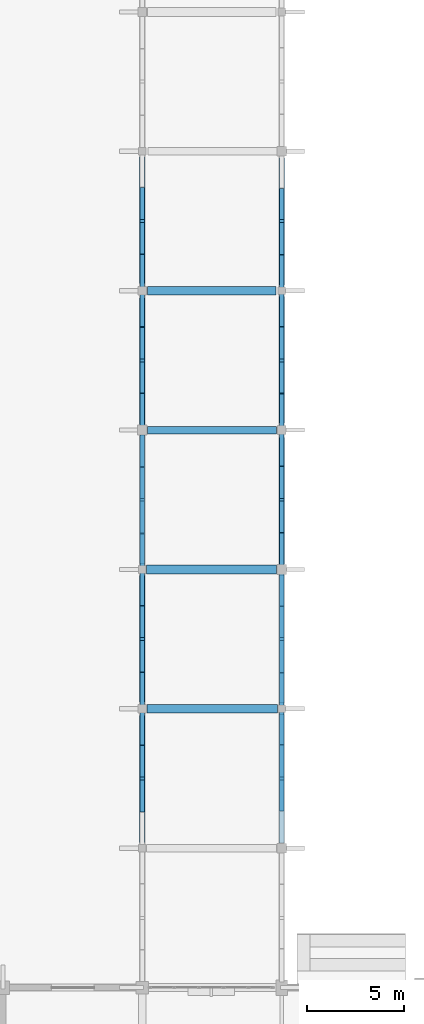
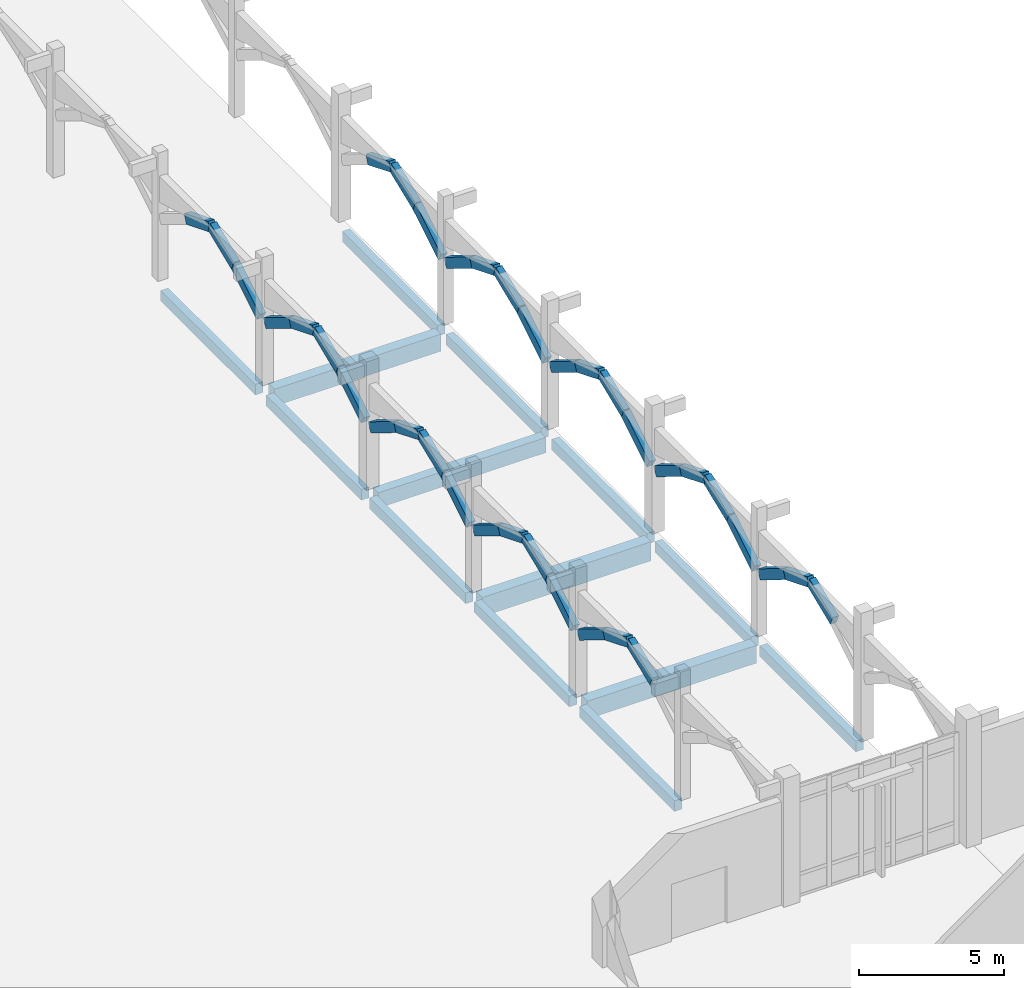
# One storey, part 36 of 110: 36 members, 14 beams.
"""IFC4 building model written with IfcOpenShell, lengths in metres."""

from ifc_helpers import new_model, si_unit, direction, frame, origin, origin_2d, place, context, subcontext, project, spatial, rectangle, extrude, material, material_profile, profile_set, type_object, element, save


model = new_model("IFC4")

# Units and contexts
model_context = context("Model", 3, precision=1e-05, world=origin(), true_north=direction((0.0, 1.0)))
body_context = subcontext(model_context, "Body", "Model", "MODEL_VIEW")
ifc_project = project(units=[si_unit("LENGTHUNIT", "METRE"), si_unit("AREAUNIT", "SQUARE_METRE"), si_unit("VOLUMEUNIT", "CUBIC_METRE"), si_unit("PLANEANGLEUNIT", "RADIAN"), si_unit("MASSUNIT", "GRAM", prefix="KILO")], contexts=[model_context])

# Site, building, storey
site_placement = place(None, origin())
site = spatial("IfcSite", under=ifc_project, at=site_placement, CompositionType="ELEMENT")
building_placement = place(site_placement, origin())
building = spatial("IfcBuilding", under=site, at=building_placement, Name="Kalluvel Institute of Natural Sciences", CompositionType="ELEMENT")
storey_placement = place(building_placement, origin())
storey = spatial("IfcBuildingStorey", under=building, at=storey_placement, Name="L00", CompositionType="ELEMENT", Elevation=0.0)

# Beams
ifc_material_1 = material(Name="Concrete M40", Category="concrete")
ifc_material_profile_1 = material_profile(ifc_material_1, rectangle(XDim=0.3798828125, YDim=0.639892578125, at=origin_2d()), Name="RCB 380x640")
ifc_profile_set_1 = profile_set([ifc_material_profile_1], Name="Concrete M40")
beam_type_1 = type_object("IfcBeamType", Name="BM-RC380x640", PredefinedType="BEAM", material=ifc_profile_set_1)
beam_1_placement = place(storey_placement, frame((107.875, 64.39990234375, -0.639892578125), z_axis=(1.0, 0.0, 0.0), x_axis=(0.0, 1.0, 0.0)))
element("IfcBeam", 1, at=beam_1_placement, inside=storey, type_object=beam_type_1, Name="L00 girder GIR-L00-EW-X1076-Y644", PredefinedType="BEAM", context=body_context, shape_type="SweptSolid", body=[
    extrude(rectangle(XDim=0.3798828125, YDim=0.639892578125, at=origin_2d()), origin(), (0.0, 0.0, 1.0), 6.64990234375),
])
ifc_material_profile_2 = material_profile(ifc_material_1, rectangle(XDim=0.419921875, YDim=0.719970703125, at=origin_2d()), Name="RCB 420x720")
ifc_profile_set_2 = profile_set([ifc_material_profile_2], Name="Concrete M40")
beam_type_2 = type_object("IfcBeamType", Name="BM-RC420x720", PredefinedType="BEAM", material=ifc_profile_set_2)
beam_2_placement = place(storey_placement, frame((107.875, 71.60009765625, -0.679931640625), z_axis=(1.0, 0.0, 0.0), x_axis=(0.0, 1.0, 0.0)))
element("IfcBeam", 2, at=beam_2_placement, inside=storey, type_object=beam_type_2, Name="L00 girder GIR-L00-EW-X1076-Y716", PredefinedType="BEAM", context=body_context, shape_type="SweptSolid", body=[
    extrude(rectangle(XDim=0.419921875, YDim=0.719970703125, at=origin_2d()), origin(), (0.0, 0.0, 1.0), 6.625),
])
ifc_material_profile_3 = material_profile(ifc_material_1, rectangle(XDim=0.449951171875, YDim=0.75, at=origin_2d()), Name="RCB 450x750")
ifc_profile_set_3 = profile_set([ifc_material_profile_3], Name="Concrete M40")
beam_type_3 = type_object("IfcBeamType", Name="BM-RC450x750", PredefinedType="BEAM", material=ifc_profile_set_3)
beam_3_placement = place(storey_placement, frame((107.85009765625, 50.0, -0.695068359375), z_axis=(1.0, 0.0, 0.0), x_axis=(0.0, 1.0, 0.0)))
element("IfcBeam", 3, at=beam_3_placement, inside=storey, type_object=beam_type_3, Name="L00 girder GIR-L00-EW-X1076-Y500", PredefinedType="BEAM", context=body_context, shape_type="SweptSolid", body=[
    extrude(rectangle(XDim=0.449951171875, YDim=0.75, at=origin_2d()), origin(), (0.0, 0.0, 1.0), 6.724853515625),
])
ifc_material_profile_4 = material_profile(ifc_material_1, rectangle(XDim=0.449951171875, YDim=0.800048828125, at=origin_2d()), Name="RCB 450x800")
ifc_profile_set_4 = profile_set([ifc_material_profile_4], Name="Concrete M40")
beam_type_4 = type_object("IfcBeamType", Name="BM-RC450x800", PredefinedType="BEAM", material=ifc_profile_set_4)
beam_4_placement = place(storey_placement, frame((107.824951171875, 57.199951171875, -0.719970703125), z_axis=(1.0, 0.0, 0.0), x_axis=(0.0, 1.0, 0.0)))
element("IfcBeam", 4, at=beam_4_placement, inside=storey, type_object=beam_type_4, Name="L00 girder GIR-L00-EW-X1076-Y572", PredefinedType="BEAM", context=body_context, shape_type="SweptSolid", body=[
    extrude(rectangle(XDim=0.449951171875, YDim=0.800048828125, at=origin_2d()), origin(), (0.0, 0.0, 1.0), 6.699951171875),
])

# Members
ifc_material_2 = material(Name="Sadarahalli Granite Precast Concrete M45", Category="masonry")
ifc_material_profile_5 = material_profile(ifc_material_2, rectangle(XDim=0.25, YDim=0.39990234375, at=origin_2d()), Name="RCB 250x400")
ifc_profile_set_5 = profile_set([ifc_material_profile_5], Name="Sadarahalli Granite Precast Concrete M45")
member_type = type_object("IfcMemberType", Name="MB-CL-ARCH250", PredefinedType="USERDEFINED", material=ifc_profile_set_5)
member_1_placement = place(storey_placement, frame((107.60009765625, 44.75439453125, 3.679931640625), z_axis=(0.0, 0.928096343837, 0.372340135569), x_axis=(-1.0, 0.0, 0.0)))
element("IfcMember", 5, at=member_1_placement, inside=storey, type_object=member_type, Name="Gothic cloister pointed-lancet arch segment 82", ObjectType="ARCH_SEGMENT", PredefinedType="USERDEFINED", context=body_context, shape_type="SweptSolid", body=[
    extrude(rectangle(XDim=0.25, YDim=0.39990234375, at=origin_2d()), origin(), (0.0, 0.0, 1.0), 1.77294921875),
])
member_2_placement = place(storey_placement, frame((107.60009765625, 46.39990234375, 4.340087890625), z_axis=(0.0, 0.926130265852, -0.377203831731), x_axis=(-1.0, 0.0, 0.0)))
element("IfcMember", 6, at=member_2_placement, inside=storey, type_object=member_type, Name="Gothic cloister pointed-lancet arch segment 83", ObjectType="ARCH_SEGMENT", PredefinedType="USERDEFINED", context=body_context, shape_type="SweptSolid", body=[
    extrude(rectangle(XDim=0.25, YDim=0.39990234375, at=origin_2d()), origin(), (0.0, 0.0, 1.0), 1.750244140625),
])
member_3_placement = place(storey_placement, frame((107.60009765625, 48.020751953125, 3.679931640625), z_axis=(0.0, 0.853581578876, -0.520959200134), x_axis=(-1.0, 0.0, 0.0)))
element("IfcMember", 7, at=member_3_placement, inside=storey, type_object=member_type, Name="Gothic cloister pointed-lancet arch segment 84", ObjectType="ARCH_SEGMENT", PredefinedType="USERDEFINED", context=body_context, shape_type="SweptSolid", body=[
    extrude(rectangle(XDim=0.25, YDim=0.39990234375, at=origin_2d()), origin(), (0.0, 0.0, 1.0), 2.07275390625),
])
member_4_placement = place(storey_placement, frame((114.800048828125, 44.7978515625, 3.679931640625), z_axis=(0.0, 0.924578854219, 0.380990737855), x_axis=(-1.0, 0.0, 0.0)))
element("IfcMember", 8, at=member_4_placement, inside=storey, type_object=member_type, Name="Gothic cloister pointed-lancet arch segment 86", ObjectType="ARCH_SEGMENT", PredefinedType="USERDEFINED", context=body_context, shape_type="SweptSolid", body=[
    extrude(rectangle(XDim=0.25, YDim=0.39990234375, at=origin_2d()), origin(), (0.0, 0.0, 1.0), 1.732666015625),
])
member_5_placement = place(storey_placement, frame((114.800048828125, 46.39990234375, 4.340087890625), z_axis=(0.0, 0.928628016361, -0.371012138924), x_axis=(-1.0, 0.0, 0.0)))
element("IfcMember", 9, at=member_5_placement, inside=storey, type_object=member_type, Name="Gothic cloister pointed-lancet arch segment 87", ObjectType="ARCH_SEGMENT", PredefinedType="USERDEFINED", context=body_context, shape_type="SweptSolid", body=[
    extrude(rectangle(XDim=0.25, YDim=0.39990234375, at=origin_2d()), origin(), (0.0, 0.0, 1.0), 1.779296875),
])
member_6_placement = place(storey_placement, frame((114.800048828125, 48.05224609375, 3.679931640625), z_axis=(0.0, 0.852714959233, -0.522376490954), x_axis=(-1.0, 0.0, 0.0)))
element("IfcMember", 10, at=member_6_placement, inside=storey, type_object=member_type, Name="Gothic cloister pointed-lancet arch segment 88", ObjectType="ARCH_SEGMENT", PredefinedType="USERDEFINED", context=body_context, shape_type="SweptSolid", body=[
    extrude(rectangle(XDim=0.25, YDim=0.39990234375, at=origin_2d()), origin(), (0.0, 0.0, 1.0), 2.067138671875),
])
member_7_placement = place(storey_placement, frame((107.60009765625, 50.2099609375, 2.60009765625), z_axis=(0.0, 0.853581578876, 0.520959200134), x_axis=(-1.0, 0.0, 0.0)))
element("IfcMember", 11, at=member_7_placement, inside=storey, type_object=member_type, Name="Gothic cloister pointed-lancet arch segment 89", ObjectType="ARCH_SEGMENT", PredefinedType="USERDEFINED", context=body_context, shape_type="SweptSolid", body=[
    extrude(rectangle(XDim=0.25, YDim=0.39990234375, at=origin_2d()), origin(), (0.0, 0.0, 1.0), 2.07275390625),
])
member_8_placement = place(storey_placement, frame((107.60009765625, 51.979248046875, 3.679931640625), z_axis=(0.0, 0.926130265852, 0.377203831731), x_axis=(-1.0, 0.0, 0.0)))
element("IfcMember", 12, at=member_8_placement, inside=storey, type_object=member_type, Name="Gothic cloister pointed-lancet arch segment 90", ObjectType="ARCH_SEGMENT", PredefinedType="USERDEFINED", context=body_context, shape_type="SweptSolid", body=[
    extrude(rectangle(XDim=0.25, YDim=0.39990234375, at=origin_2d()), origin(), (0.0, 0.0, 1.0), 1.750244140625),
])
member_9_placement = place(storey_placement, frame((107.60009765625, 53.60009765625, 4.340087890625), z_axis=(0.0, 0.928096343837, -0.372340135569), x_axis=(-1.0, 0.0, 0.0)))
element("IfcMember", 13, at=member_9_placement, inside=storey, type_object=member_type, Name="Gothic cloister pointed-lancet arch segment 91", ObjectType="ARCH_SEGMENT", PredefinedType="USERDEFINED", context=body_context, shape_type="SweptSolid", body=[
    extrude(rectangle(XDim=0.25, YDim=0.39990234375, at=origin_2d()), origin(), (0.0, 0.0, 1.0), 1.77294921875),
])
member_10_placement = place(storey_placement, frame((107.60009765625, 55.24560546875, 3.679931640625), z_axis=(0.0, 0.853581578876, -0.520959200134), x_axis=(-1.0, 0.0, 0.0)))
element("IfcMember", 14, at=member_10_placement, inside=storey, type_object=member_type, Name="Gothic cloister pointed-lancet arch segment 92", ObjectType="ARCH_SEGMENT", PredefinedType="USERDEFINED", context=body_context, shape_type="SweptSolid", body=[
    extrude(rectangle(XDim=0.25, YDim=0.39990234375, at=origin_2d()), origin(), (0.0, 0.0, 1.0), 2.07275390625),
])
member_11_placement = place(storey_placement, frame((114.800048828125, 50.18505859375, 2.60009765625), z_axis=(0.0, 0.852714959233, 0.522376490954), x_axis=(-1.0, 0.0, 0.0)))
element("IfcMember", 15, at=member_11_placement, inside=storey, type_object=member_type, Name="Gothic cloister pointed-lancet arch segment 93", ObjectType="ARCH_SEGMENT", PredefinedType="USERDEFINED", context=body_context, shape_type="SweptSolid", body=[
    extrude(rectangle(XDim=0.25, YDim=0.39990234375, at=origin_2d()), origin(), (0.0, 0.0, 1.0), 2.067138671875),
])
member_12_placement = place(storey_placement, frame((114.800048828125, 51.94775390625, 3.679931640625), z_axis=(0.0, 0.928628016361, 0.371012138924), x_axis=(-1.0, 0.0, 0.0)))
element("IfcMember", 16, at=member_12_placement, inside=storey, type_object=member_type, Name="Gothic cloister pointed-lancet arch segment 94", ObjectType="ARCH_SEGMENT", PredefinedType="USERDEFINED", context=body_context, shape_type="SweptSolid", body=[
    extrude(rectangle(XDim=0.25, YDim=0.39990234375, at=origin_2d()), origin(), (0.0, 0.0, 1.0), 1.779296875),
])
member_13_placement = place(storey_placement, frame((114.800048828125, 53.60009765625, 4.340087890625), z_axis=(0.0, 0.924578854219, -0.380990737855), x_axis=(-1.0, 0.0, 0.0)))
element("IfcMember", 17, at=member_13_placement, inside=storey, type_object=member_type, Name="Gothic cloister pointed-lancet arch segment 95", ObjectType="ARCH_SEGMENT", PredefinedType="USERDEFINED", context=body_context, shape_type="SweptSolid", body=[
    extrude(rectangle(XDim=0.25, YDim=0.39990234375, at=origin_2d()), origin(), (0.0, 0.0, 1.0), 1.732666015625),
])
member_14_placement = place(storey_placement, frame((114.800048828125, 55.2021484375, 3.679931640625), z_axis=(0.0, 0.852747182407, -0.522323886967), x_axis=(-1.0, 0.0, 0.0)))
element("IfcMember", 18, at=member_14_placement, inside=storey, type_object=member_type, Name="Gothic cloister pointed-lancet arch segment 96", ObjectType="ARCH_SEGMENT", PredefinedType="USERDEFINED", context=body_context, shape_type="SweptSolid", body=[
    extrude(rectangle(XDim=0.25, YDim=0.39990234375, at=origin_2d()), origin(), (0.0, 0.0, 1.0), 2.0673828125),
])
member_15_placement = place(storey_placement, frame((107.60009765625, 57.385009765625, 2.60009765625), z_axis=(0.0, 0.852714959233, 0.522376490954), x_axis=(-1.0, 0.0, 0.0)))
element("IfcMember", 19, at=member_15_placement, inside=storey, type_object=member_type, Name="Gothic cloister pointed-lancet arch segment 97", ObjectType="ARCH_SEGMENT", PredefinedType="USERDEFINED", context=body_context, shape_type="SweptSolid", body=[
    extrude(rectangle(XDim=0.25, YDim=0.39990234375, at=origin_2d()), origin(), (0.0, 0.0, 1.0), 2.067138671875),
])
member_16_placement = place(storey_placement, frame((107.60009765625, 59.147705078125, 3.679931640625), z_axis=(0.0, 0.928628016361, 0.371012138924), x_axis=(-1.0, 0.0, 0.0)))
element("IfcMember", 20, at=member_16_placement, inside=storey, type_object=member_type, Name="Gothic cloister pointed-lancet arch segment 98", ObjectType="ARCH_SEGMENT", PredefinedType="USERDEFINED", context=body_context, shape_type="SweptSolid", body=[
    extrude(rectangle(XDim=0.25, YDim=0.39990234375, at=origin_2d()), origin(), (0.0, 0.0, 1.0), 1.779296875),
])
member_17_placement = place(storey_placement, frame((107.60009765625, 60.800048828125, 4.340087890625), z_axis=(0.0, 0.924578854219, -0.380990737855), x_axis=(-1.0, 0.0, 0.0)))
element("IfcMember", 21, at=member_17_placement, inside=storey, type_object=member_type, Name="Gothic cloister pointed-lancet arch segment 99", ObjectType="ARCH_SEGMENT", PredefinedType="USERDEFINED", context=body_context, shape_type="SweptSolid", body=[
    extrude(rectangle(XDim=0.25, YDim=0.39990234375, at=origin_2d()), origin(), (0.0, 0.0, 1.0), 1.732666015625),
])
member_18_placement = place(storey_placement, frame((107.60009765625, 62.402099609375, 3.679931640625), z_axis=(0.0, 0.852747182407, -0.522323886967), x_axis=(-1.0, 0.0, 0.0)))
element("IfcMember", 22, at=member_18_placement, inside=storey, type_object=member_type, Name="Gothic cloister pointed-lancet arch segment 100", ObjectType="ARCH_SEGMENT", PredefinedType="USERDEFINED", context=body_context, shape_type="SweptSolid", body=[
    extrude(rectangle(XDim=0.25, YDim=0.39990234375, at=origin_2d()), origin(), (0.0, 0.0, 1.0), 2.0673828125),
])
member_19_placement = place(storey_placement, frame((114.800048828125, 57.43505859375, 2.60009765625), z_axis=(0.0, 0.85187372857, 0.523747220109), x_axis=(-1.0, 0.0, 0.0)))
element("IfcMember", 23, at=member_19_placement, inside=storey, type_object=member_type, Name="Gothic cloister pointed-lancet arch segment 101", ObjectType="ARCH_SEGMENT", PredefinedType="USERDEFINED", context=body_context, shape_type="SweptSolid", body=[
    extrude(rectangle(XDim=0.25, YDim=0.39990234375, at=origin_2d()), origin(), (0.0, 0.0, 1.0), 2.061767578125),
])
member_20_placement = place(storey_placement, frame((114.800048828125, 59.19140625, 3.679931640625), z_axis=(0.0, 0.925128158798, 0.37965496151), x_axis=(-1.0, 0.0, 0.0)))
element("IfcMember", 24, at=member_20_placement, inside=storey, type_object=member_type, Name="Gothic cloister pointed-lancet arch segment 102", ObjectType="ARCH_SEGMENT", PredefinedType="USERDEFINED", context=body_context, shape_type="SweptSolid", body=[
    extrude(rectangle(XDim=0.25, YDim=0.39990234375, at=origin_2d()), origin(), (0.0, 0.0, 1.0), 1.73876953125),
])
member_21_placement = place(storey_placement, frame((114.800048828125, 60.800048828125, 4.340087890625), z_axis=(0.0, 0.927152061331, -0.374685274823), x_axis=(-1.0, 0.0, 0.0)))
element("IfcMember", 25, at=member_21_placement, inside=storey, type_object=member_type, Name="Gothic cloister pointed-lancet arch segment 103", ObjectType="ARCH_SEGMENT", PredefinedType="USERDEFINED", context=body_context, shape_type="SweptSolid", body=[
    extrude(rectangle(XDim=0.25, YDim=0.39990234375, at=origin_2d()), origin(), (0.0, 0.0, 1.0), 1.761962890625),
])
for number, where, z_axis, x_axis, name in (
    (26, (114.800048828125, 62.43359375, 3.679931640625), (0.0, 0.85187372857, -0.523747220109), (-1.0, 0.0, 0.0), "Gothic cloister pointed-lancet arch segment 104"),
    (27, (107.60009765625, 64.635009765625, 2.60009765625), (0.0, 0.85187372857, 0.523747220109), (-1.0, 0.0, 0.0), "Gothic cloister pointed-lancet arch segment 105"),
):
    element("IfcMember", number, at=place(storey_placement, frame(where, z_axis=z_axis, x_axis=x_axis)), inside=storey, type_object=member_type, Name=name, ObjectType="ARCH_SEGMENT", PredefinedType="USERDEFINED", context=body_context, shape_type="SweptSolid", body=[
        extrude(rectangle(XDim=0.25, YDim=0.39990234375, at=origin_2d()), origin(), (0.0, 0.0, 1.0), 2.061767578125),
    ])
member_22_placement = place(storey_placement, frame((107.60009765625, 66.391357421875, 3.679931640625), z_axis=(0.0, 0.925128158798, 0.37965496151), x_axis=(-1.0, 0.0, 0.0)))
element("IfcMember", 28, at=member_22_placement, inside=storey, type_object=member_type, Name="Gothic cloister pointed-lancet arch segment 106", ObjectType="ARCH_SEGMENT", PredefinedType="USERDEFINED", context=body_context, shape_type="SweptSolid", body=[
    extrude(rectangle(XDim=0.25, YDim=0.39990234375, at=origin_2d()), origin(), (0.0, 0.0, 1.0), 1.73876953125),
])
member_23_placement = place(storey_placement, frame((107.60009765625, 68.0, 4.340087890625), z_axis=(0.0, 0.927171510879, -0.374637143667), x_axis=(-1.0, 0.0, 0.0)))
element("IfcMember", 29, at=member_23_placement, inside=storey, type_object=member_type, Name="Gothic cloister pointed-lancet arch segment 107", ObjectType="ARCH_SEGMENT", PredefinedType="USERDEFINED", context=body_context, shape_type="SweptSolid", body=[
    extrude(rectangle(XDim=0.25, YDim=0.39990234375, at=origin_2d()), origin(), (0.0, 0.0, 1.0), 1.76220703125),
])
member_24_placement = place(storey_placement, frame((107.60009765625, 69.6337890625, 3.679931640625), z_axis=(0.0, 0.851841241244, -0.523800057003), x_axis=(-1.0, 0.0, 0.0)))
element("IfcMember", 30, at=member_24_placement, inside=storey, type_object=member_type, Name="Gothic cloister pointed-lancet arch segment 108", ObjectType="ARCH_SEGMENT", PredefinedType="USERDEFINED", context=body_context, shape_type="SweptSolid", body=[
    extrude(rectangle(XDim=0.25, YDim=0.39990234375, at=origin_2d()), origin(), (0.0, 0.0, 1.0), 2.0615234375),
])
member_25_placement = place(storey_placement, frame((114.800048828125, 64.610107421875, 2.60009765625), z_axis=(0.0, 0.853581578876, 0.520959200134), x_axis=(-1.0, 0.0, 0.0)))
element("IfcMember", 31, at=member_25_placement, inside=storey, type_object=member_type, Name="Gothic cloister pointed-lancet arch segment 109", ObjectType="ARCH_SEGMENT", PredefinedType="USERDEFINED", context=body_context, shape_type="SweptSolid", body=[
    extrude(rectangle(XDim=0.25, YDim=0.39990234375, at=origin_2d()), origin(), (0.0, 0.0, 1.0), 2.07275390625),
])
member_26_placement = place(storey_placement, frame((114.800048828125, 66.37939453125, 3.679931640625), z_axis=(0.0, 0.926110413783, 0.377252569881), x_axis=(-1.0, 0.0, 0.0)))
element("IfcMember", 32, at=member_26_placement, inside=storey, type_object=member_type, Name="Gothic cloister pointed-lancet arch segment 110", ObjectType="ARCH_SEGMENT", PredefinedType="USERDEFINED", context=body_context, shape_type="SweptSolid", body=[
    extrude(rectangle(XDim=0.25, YDim=0.39990234375, at=origin_2d()), origin(), (0.0, 0.0, 1.0), 1.75),
])
member_27_placement = place(storey_placement, frame((114.800048828125, 68.0, 4.340087890625), z_axis=(0.0, 0.928115430484, -0.372292556598), x_axis=(-1.0, 0.0, 0.0)))
element("IfcMember", 33, at=member_27_placement, inside=storey, type_object=member_type, Name="Gothic cloister pointed-lancet arch segment 111", ObjectType="ARCH_SEGMENT", PredefinedType="USERDEFINED", context=body_context, shape_type="SweptSolid", body=[
    extrude(rectangle(XDim=0.25, YDim=0.39990234375, at=origin_2d()), origin(), (0.0, 0.0, 1.0), 1.773193359375),
])
for number, where, z_axis, x_axis, name in (
    (34, (114.800048828125, 69.645751953125, 3.679931640625), (0.0, 0.853581578876, -0.520959200134), (-1.0, 0.0, 0.0), "Gothic cloister pointed-lancet arch segment 112"),
    (35, (107.60009765625, 71.81005859375, 2.60009765625), (0.0, 0.853581578876, 0.520959200134), (-1.0, 0.0, 0.0), "Gothic cloister pointed-lancet arch segment 113"),
):
    element("IfcMember", number, at=place(storey_placement, frame(where, z_axis=z_axis, x_axis=x_axis)), inside=storey, type_object=member_type, Name=name, ObjectType="ARCH_SEGMENT", PredefinedType="USERDEFINED", context=body_context, shape_type="SweptSolid", body=[
        extrude(rectangle(XDim=0.25, YDim=0.39990234375, at=origin_2d()), origin(), (0.0, 0.0, 1.0), 2.07275390625),
    ])
member_28_placement = place(storey_placement, frame((107.60009765625, 73.579345703125, 3.679931640625), z_axis=(0.0, 0.926110413783, 0.377252569881), x_axis=(-1.0, 0.0, 0.0)))
element("IfcMember", 36, at=member_28_placement, inside=storey, type_object=member_type, Name="Gothic cloister pointed-lancet arch segment 114", ObjectType="ARCH_SEGMENT", PredefinedType="USERDEFINED", context=body_context, shape_type="SweptSolid", body=[
    extrude(rectangle(XDim=0.25, YDim=0.39990234375, at=origin_2d()), origin(), (0.0, 0.0, 1.0), 1.75),
])
member_29_placement = place(storey_placement, frame((107.60009765625, 75.199951171875, 4.340087890625), z_axis=(0.0, 0.928115430484, -0.372292556598), x_axis=(-1.0, 0.0, 0.0)))
element("IfcMember", 37, at=member_29_placement, inside=storey, type_object=member_type, Name="Gothic cloister pointed-lancet arch segment 115", ObjectType="ARCH_SEGMENT", PredefinedType="USERDEFINED", context=body_context, shape_type="SweptSolid", body=[
    extrude(rectangle(XDim=0.25, YDim=0.39990234375, at=origin_2d()), origin(), (0.0, 0.0, 1.0), 1.773193359375),
])
member_30_placement = place(storey_placement, frame((114.800048828125, 71.784912109375, 2.60009765625), z_axis=(0.0, 0.852747182407, 0.522323886967), x_axis=(-1.0, 0.0, 0.0)))
element("IfcMember", 38, at=member_30_placement, inside=storey, type_object=member_type, Name="Gothic cloister pointed-lancet arch segment 117", ObjectType="ARCH_SEGMENT", PredefinedType="USERDEFINED", context=body_context, shape_type="SweptSolid", body=[
    extrude(rectangle(XDim=0.25, YDim=0.39990234375, at=origin_2d()), origin(), (0.0, 0.0, 1.0), 2.0673828125),
])
member_31_placement = place(storey_placement, frame((114.800048828125, 73.5478515625, 3.679931640625), z_axis=(0.0, 0.928609125982, 0.371059417268), x_axis=(-1.0, 0.0, 0.0)))
element("IfcMember", 39, at=member_31_placement, inside=storey, type_object=member_type, Name="Gothic cloister pointed-lancet arch segment 118", ObjectType="ARCH_SEGMENT", PredefinedType="USERDEFINED", context=body_context, shape_type="SweptSolid", body=[
    extrude(rectangle(XDim=0.25, YDim=0.39990234375, at=origin_2d()), origin(), (0.0, 0.0, 1.0), 1.779052734375),
])
member_32_placement = place(storey_placement, frame((114.800048828125, 75.199951171875, 4.340087890625), z_axis=(0.0, 0.92459930226, -0.380941111277), x_axis=(-1.0, 0.0, 0.0)))
element("IfcMember", 40, at=member_32_placement, inside=storey, type_object=member_type, Name="Gothic cloister pointed-lancet arch segment 119", ObjectType="ARCH_SEGMENT", PredefinedType="USERDEFINED", context=body_context, shape_type="SweptSolid", body=[
    extrude(rectangle(XDim=0.25, YDim=0.39990234375, at=origin_2d()), origin(), (0.0, 0.0, 1.0), 1.73291015625),
])

# Beams
ifc_material_profile_6 = material_profile(ifc_material_1, rectangle(XDim=0.300048828125, YDim=0.449951171875, at=origin_2d()), Name="RCB 300x450")
ifc_profile_set_6 = profile_set([ifc_material_profile_6], Name="Concrete M40")
beam_type_5 = type_object("IfcBeamType", Name="SP-RC300x450", PredefinedType="SPANDREL", material=ifc_profile_set_6)
for number, where, z_axis, x_axis, name in (
    (41, (107.60009765625, 43.10009765625, -0.544921875), (0.0, 1.0, 0.0), (-1.0, 0.0, 0.0), "L00 girder GIR-L00-NS-X1076-Y428"),
    (42, (107.60009765625, 50.35009765625, -0.544921875), (0.0, 1.0, 0.0), (-1.0, 0.0, 0.0), "L00 girder GIR-L00-NS-X1076-Y500"),
):
    element("IfcBeam", number, at=place(storey_placement, frame(where, z_axis=z_axis, x_axis=x_axis)), inside=storey, type_object=beam_type_5, Name=name, PredefinedType="SPANDREL", context=body_context, shape_type="SweptSolid", body=[
        extrude(rectangle(XDim=0.300048828125, YDim=0.449951171875, at=origin_2d()), origin(), (0.0, 0.0, 1.0), 6.5498046875),
    ])
beam_5_placement = place(storey_placement, frame((107.60009765625, 57.5, -0.544921875), z_axis=(0.0, 1.0, 0.0), x_axis=(-1.0, 0.0, 0.0)))
element("IfcBeam", 43, at=beam_5_placement, inside=storey, type_object=beam_type_5, Name="L00 girder GIR-L00-NS-X1076-Y572", PredefinedType="SPANDREL", context=body_context, shape_type="SweptSolid", body=[
    extrude(rectangle(XDim=0.300048828125, YDim=0.449951171875, at=origin_2d()), origin(), (0.0, 0.0, 1.0), 6.625),
])
beam_6_placement = place(storey_placement, frame((107.60009765625, 64.675048828125, -0.544921875), z_axis=(0.0, 1.0, 0.0), x_axis=(-1.0, 0.0, 0.0)))
element("IfcBeam", 44, at=beam_6_placement, inside=storey, type_object=beam_type_5, Name="L00 girder GIR-L00-NS-X1076-Y644", PredefinedType="SPANDREL", context=body_context, shape_type="SweptSolid", body=[
    extrude(rectangle(XDim=0.300048828125, YDim=0.449951171875, at=origin_2d()), origin(), (0.0, 0.0, 1.0), 6.550048828125),
])
beam_7_placement = place(storey_placement, frame((107.60009765625, 71.97509765625, -0.544921875), z_axis=(0.0, 1.0, 0.0), x_axis=(-1.0, 0.0, 0.0)))
element("IfcBeam", 45, at=beam_7_placement, inside=storey, type_object=beam_type_5, Name="L00 girder GIR-L00-NS-X1076-Y716", PredefinedType="SPANDREL", context=body_context, shape_type="SweptSolid", body=[
    extrude(rectangle(XDim=0.300048828125, YDim=0.449951171875, at=origin_2d()), origin(), (0.0, 0.0, 1.0), 6.52490234375),
])
for number, where, z_axis, x_axis, name in (
    (46, (114.800048828125, 43.074951171875, -0.544921875), (0.0, 1.0, 0.0), (-1.0, 0.0, 0.0), "L00 girder GIR-L00-NS-X1148-Y428"),
    (47, (114.800048828125, 50.300048828125, -0.544921875), (0.0, 1.0, 0.0), (-1.0, 0.0, 0.0), "L00 girder GIR-L00-NS-X1148-Y500"),
):
    element("IfcBeam", number, at=place(storey_placement, frame(where, z_axis=z_axis, x_axis=x_axis)), inside=storey, type_object=beam_type_5, Name=name, PredefinedType="SPANDREL", context=body_context, shape_type="SweptSolid", body=[
        extrude(rectangle(XDim=0.300048828125, YDim=0.449951171875, at=origin_2d()), origin(), (0.0, 0.0, 1.0), 6.625),
    ])
beam_8_placement = place(storey_placement, frame((114.800048828125, 57.47509765625, -0.544921875), z_axis=(0.0, 1.0, 0.0), x_axis=(-1.0, 0.0, 0.0)))
element("IfcBeam", 48, at=beam_8_placement, inside=storey, type_object=beam_type_5, Name="L00 girder GIR-L00-NS-X1148-Y572", PredefinedType="SPANDREL", context=body_context, shape_type="SweptSolid", body=[
    extrude(rectangle(XDim=0.300048828125, YDim=0.449951171875, at=origin_2d()), origin(), (0.0, 0.0, 1.0), 6.5498046875),
])
beam_9_placement = place(storey_placement, frame((114.800048828125, 64.77490234375, -0.544921875), z_axis=(0.0, 1.0, 0.0), x_axis=(-1.0, 0.0, 0.0)))
element("IfcBeam", 49, at=beam_9_placement, inside=storey, type_object=beam_type_5, Name="L00 girder GIR-L00-NS-X1148-Y644", PredefinedType="SPANDREL", context=body_context, shape_type="SweptSolid", body=[
    extrude(rectangle(XDim=0.300048828125, YDim=0.449951171875, at=origin_2d()), origin(), (0.0, 0.0, 1.0), 6.525146484375),
])
beam_10_placement = place(storey_placement, frame((114.800048828125, 71.89990234375, -0.544921875), z_axis=(0.0, 1.0, 0.0), x_axis=(-1.0, 0.0, 0.0)))
element("IfcBeam", 50, at=beam_10_placement, inside=storey, type_object=beam_type_5, Name="L00 girder GIR-L00-NS-X1148-Y716", PredefinedType="SPANDREL", context=body_context, shape_type="SweptSolid", body=[
    extrude(rectangle(XDim=0.300048828125, YDim=0.449951171875, at=origin_2d()), origin(), (0.0, 0.0, 1.0), 6.550048828125),
])

save(model, "model.ifc")
